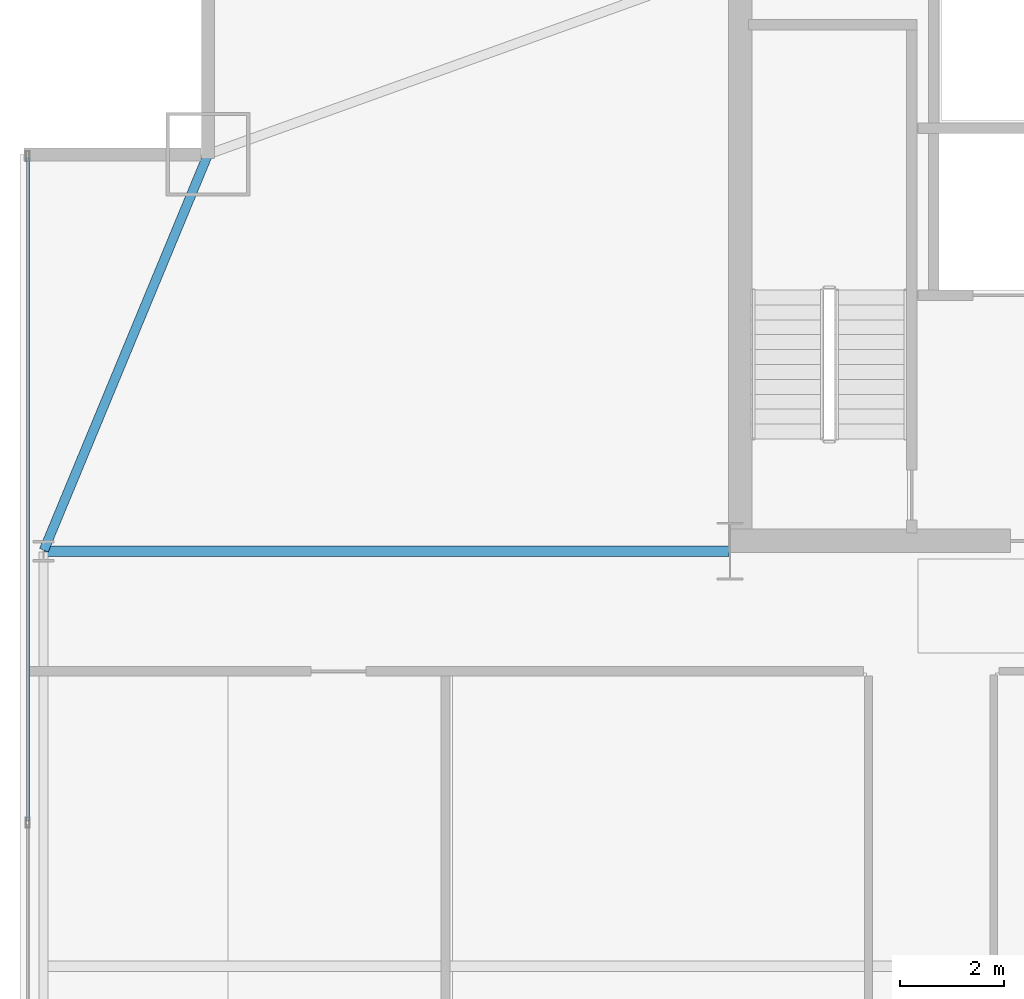
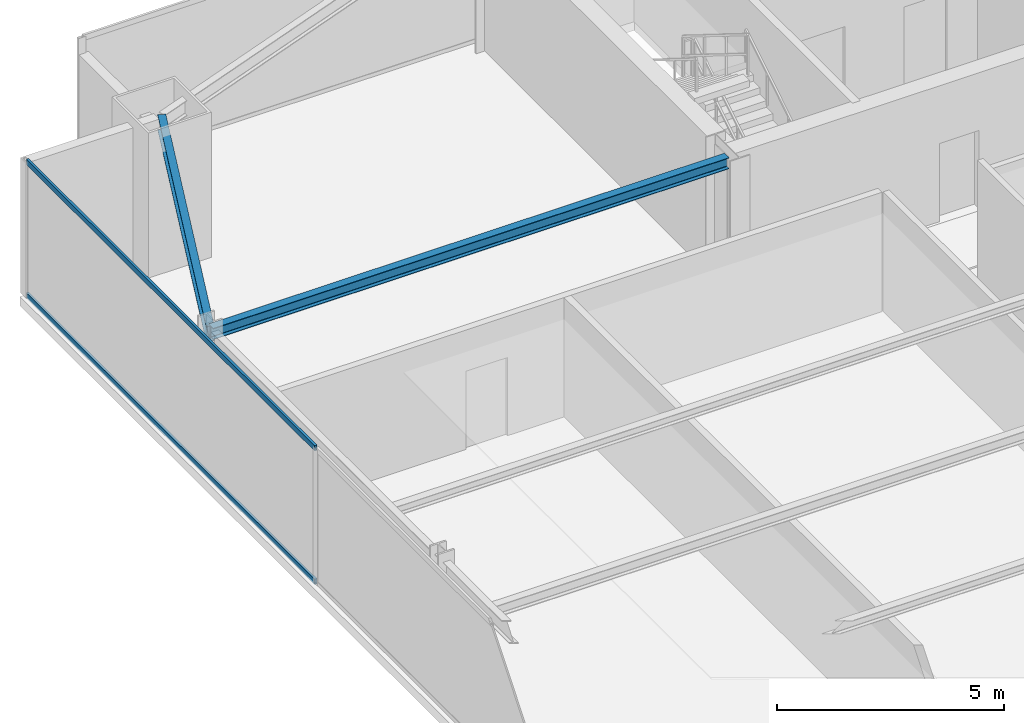
# One storey, part 21 of 32: 2 beams, 2 members, 1 element without a shape of its own.
"""IFC4 building model written with IfcOpenShell, lengths in metres."""

from ifc_helpers import new_model, si_unit, direction, frame, origin, origin_2d, place, context, subcontext, project, spatial, hollow_rectangle, i_section, extrude, source, transform, mapped, material, layer, layer_set, material_profile, profile_set, type_object, type_shapes, element, aggregate, save


model = new_model("IFC4")

# Units and contexts
model_context = context("Model", 3, precision=1e-05, world=origin(), true_north=direction((0.0, 1.0)))
body_context = subcontext(model_context, "Body", "Model", "MODEL_VIEW")
ifc_project = project(units=[si_unit("LENGTHUNIT", "METRE"), si_unit("AREAUNIT", "SQUARE_METRE"), si_unit("VOLUMEUNIT", "CUBIC_METRE"), si_unit("PLANEANGLEUNIT", "RADIAN"), si_unit("MASSUNIT", "GRAM", prefix="KILO")], contexts=[model_context])

# Site, building, storey
site_placement = place(None, origin())
site = spatial("IfcSite", under=ifc_project, at=site_placement, CompositionType="ELEMENT")
building_placement = place(site_placement, origin())
building = spatial("IfcBuilding", under=site, at=building_placement, Name="Varnel Quay Broadcast Tower", CompositionType="ELEMENT")
storey_placement = place(building_placement, frame((0.0, 0.0, 70.5)))
storey = spatial("IfcBuildingStorey", under=building, at=storey_placement, Name="L16", CompositionType="ELEMENT", Elevation=70.5)

# Beams
ifc_material_1 = material(Name="Structural Steel CSA G40.21 350W", Category="steel")
ifc_material_profile_1 = material_profile(ifc_material_1, i_section(OverallWidth=0.180908203125, OverallDepth=0.4169921875, WebThickness=0.010986328125, FlangeThickness=0.018310546875, FilletRadius=0.011962890625, at=origin_2d()), Name="W410X85")
ifc_profile_set_1 = profile_set([ifc_material_profile_1], Name="Structural Steel CSA G40.21 350W")
beam_type_1 = type_object("IfcBeamType", Name="Beam_W410X85", PredefinedType="SPANDREL", material=ifc_profile_set_1)
shared_shape_1 = source(origin(), body_context, "Body", "SweptSolid", [
    extrude(i_section(OverallWidth=0.180908203125, OverallDepth=0.4169921875, WebThickness=0.010986328125, FlangeThickness=0.018310546875, FilletRadius=0.011962890625, at=origin_2d()), origin(), (0.0, 0.0, 1.0), 8.186767578125),
])
type_shapes(beam_type_1, [shared_shape_1])
beam_1_placement = place(storey_placement, frame((2.457763671875, 35.618408203125, 3.44140625), z_axis=(0.382874132092, 0.923800519038, 0.0), x_axis=(-0.923800519038, 0.382874132092, 0.0)))
element("IfcBeam", 1, at=beam_1_placement, inside=storey, type_object=beam_type_1, Name="L16 West Spandrel TC-W3-MC-NW", PredefinedType="SPANDREL", context=body_context, shape_type="MappedRepresentation", body=[
    mapped(shared_shape_1, transform((0.0, 0.0, 0.0), x_axis=(1.0, 0.0, 0.0), y_axis=(0.0, 1.0, 0.0), z_axis=(0.0, 0.0, 1.0), scale=1.0)),
])
ifc_material_profile_2 = material_profile(ifc_material_1, i_section(OverallWidth=0.202880859375, OverallDepth=0.302978515625, WebThickness=0.007568359375, FlangeThickness=0.01318359375, FilletRadius=0.011962890625, at=origin_2d()), Name="W310X60")
ifc_profile_set_2 = profile_set([ifc_material_profile_2], Name="Structural Steel CSA G40.21 350W")
beam_type_2 = type_object("IfcBeamType", Name="Beam_W310X60", PredefinedType="JOIST", material=ifc_profile_set_2)
shared_shape_2 = source(origin(), body_context, "Body", "SweptSolid", [
    extrude(i_section(OverallWidth=0.202880859375, OverallDepth=0.302978515625, WebThickness=0.007568359375, FlangeThickness=0.01318359375, FilletRadius=0.011962890625, at=origin_2d()), origin(), (0.0, 0.0, 1.0), 13.110107421875),
])
type_shapes(beam_type_2, [shared_shape_2])
beam_2_placement = place(storey_placement, frame((2.469970703125, 35.60009765625, 3.49853515625), z_axis=(1.0, 0.0, 0.0), x_axis=(0.0, 1.0, 0.0)))
element("IfcBeam", 2, at=beam_2_placement, inside=storey, type_object=beam_type_2, Name="L16 West Core Tie Joist", PredefinedType="JOIST", context=body_context, shape_type="MappedRepresentation", body=[
    mapped(shared_shape_2, transform((0.0, 0.0, 0.0), x_axis=(1.0, 0.0, 0.0), y_axis=(0.0, 1.0, 0.0), z_axis=(0.0, 0.0, 1.0), scale=1.0)),
])

# Curtain wall, members
ifc_material_2 = material(Name="Anodised Bronze Aluminium 6063-T6", Category="aluminium")
ifc_layer = layer(ifc_material_2, 0.18994140625, Name="Anodised Bronze Aluminium 6063-T6")
ifc_layer_set = layer_set([ifc_layer], Name="Anodised Bronze Aluminium 6063-T6")
curtain_wall_type = type_object("IfcCurtainWallType", Name="CW_LowerTower", PredefinedType="NOTDEFINED", material=ifc_layer_set)
curtain_wall_placement = place(storey_placement, origin())
curtain_wall = element("IfcCurtainWall", 3, at=curtain_wall_placement, inside=storey, type_object=curtain_wall_type, Name="L16 West Unitised Curtain Wall", PredefinedType="NOTDEFINED")
ifc_material_profile_3 = material_profile(ifc_material_2, hollow_rectangle(XDim=0.06005859375, YDim=0.14501953125, WallThickness=0.00341796875, at=origin_2d()), Name="ALU60X145X3.5")
ifc_profile_set_3 = profile_set([ifc_material_profile_3], Name="Anodised Bronze Aluminium 6063-T6")
member_type = type_object("IfcMemberType", Name="Tran_CWS-02", PredefinedType="USERDEFINED", material=ifc_profile_set_3)
shared_shape_3 = source(origin(), body_context, "Body", "SweptSolid", [
    extrude(hollow_rectangle(XDim=0.06005859375, YDim=0.14501953125, WallThickness=0.00341796875, at=origin_2d()), origin(), (0.0, 0.0, 1.0), 12.69482421875),
])
type_shapes(member_type, [shared_shape_3])
member_1_placement = place(storey_placement, frame((2.14990234375, 30.43505859375, 0.030029296875), z_axis=(0.0, 1.0, 0.0), x_axis=(-1.0, 0.0, 0.0)))
member_1 = element("IfcMember", 4, at=member_1_placement, type_object=member_type, Name="CWS-02 transom 3.1", ObjectType="TRANSOM", PredefinedType="USERDEFINED", context=body_context, shape_type="MappedRepresentation", body=[
    mapped(shared_shape_3, transform((0.0, 0.0, 0.0), x_axis=(1.0, 0.0, 0.0), y_axis=(0.0, 1.0, 0.0), z_axis=(0.0, 0.0, 1.0), scale=1.0)),
])
member_2_placement = place(storey_placement, frame((2.14990234375, 30.43505859375, 3.6201171875), z_axis=(0.0, 1.0, 0.0), x_axis=(-1.0, 0.0, 0.0)))
member_2 = element("IfcMember", 5, at=member_2_placement, type_object=member_type, Name="CWS-02 transom 3.2", ObjectType="TRANSOM", PredefinedType="USERDEFINED", context=body_context, shape_type="MappedRepresentation", body=[
    mapped(shared_shape_3, transform((0.0, 0.0, 0.0), x_axis=(1.0, 0.0, 0.0), y_axis=(0.0, 1.0, 0.0), z_axis=(0.0, 0.0, 1.0), scale=1.0)),
])
aggregate(curtain_wall, [member_1, member_2])

save(model, "model.ifc")
